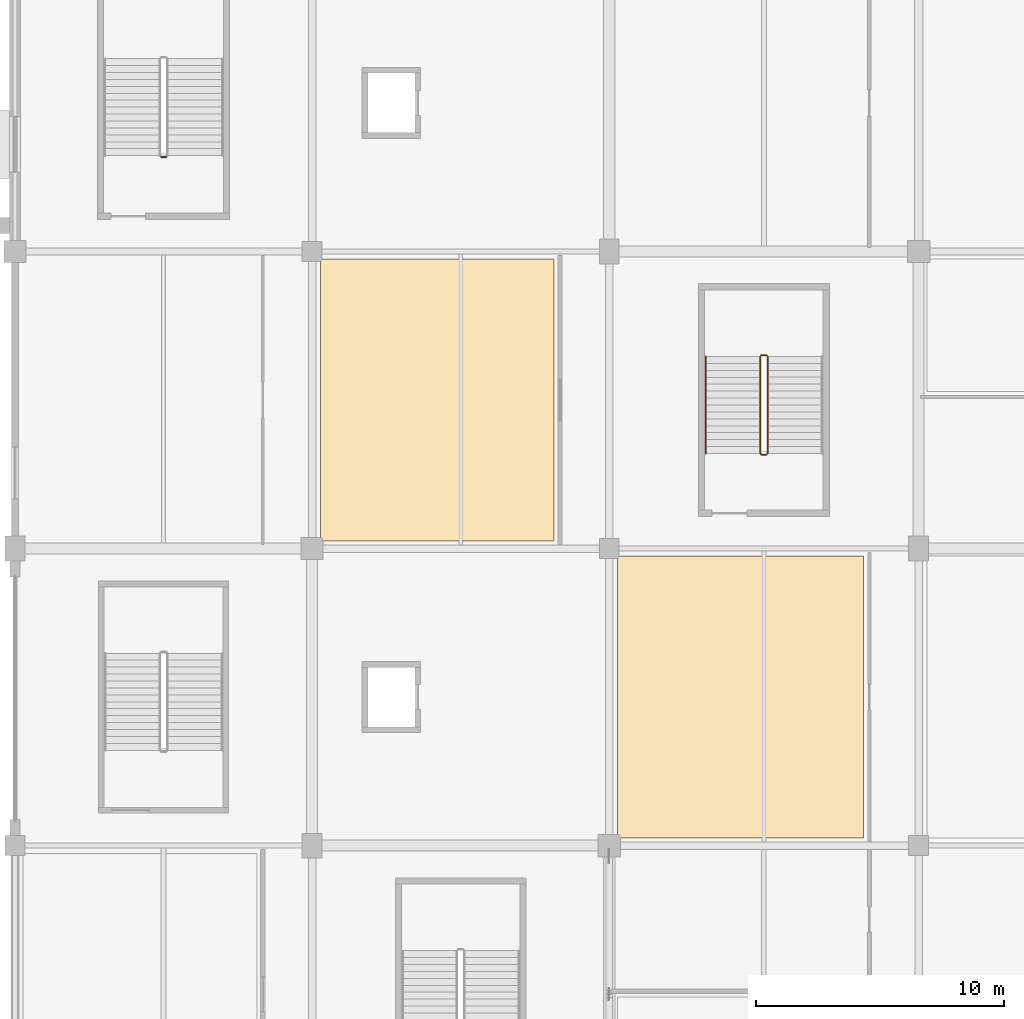
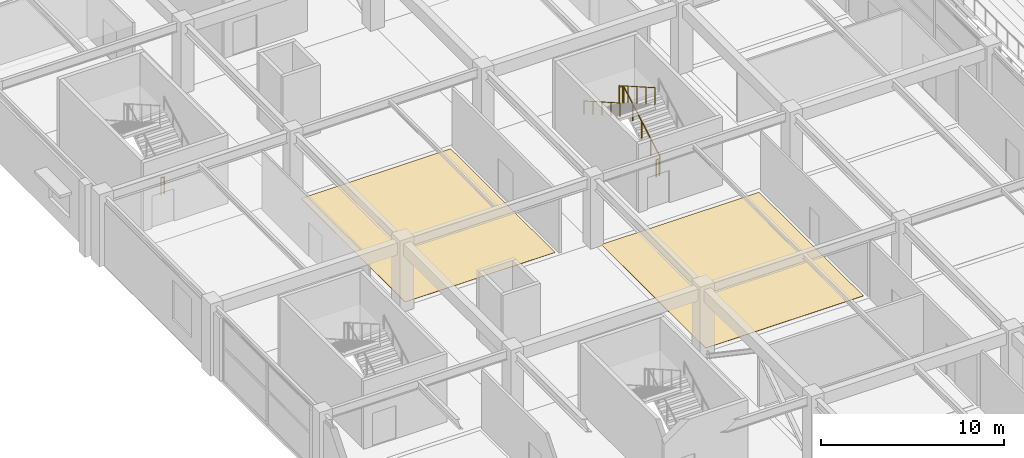
# One storey, part 105 of 134: 6 railings, 2 coverings.
"""IFC4 building model written with IfcOpenShell, lengths in metres."""

from ifc_helpers import new_model, si_unit, direction, frame, origin, origin_2d, place, context, subcontext, project, spatial, polyline, circle, outline, extrude, material, layer, layer_set, type_object, element, save


model = new_model("IFC4")

# Units and contexts
model_context = context("Model", 3, precision=1e-05, world=origin(), true_north=direction((0.0, 1.0)))
body_context = subcontext(model_context, "Body", "Model", "MODEL_VIEW")
ifc_project = project(units=[si_unit("LENGTHUNIT", "METRE"), si_unit("AREAUNIT", "SQUARE_METRE"), si_unit("VOLUMEUNIT", "CUBIC_METRE"), si_unit("PLANEANGLEUNIT", "RADIAN"), si_unit("MASSUNIT", "GRAM", prefix="KILO")], contexts=[model_context])

# Site, building, storey
site_placement = place(None, origin())
site = spatial("IfcSite", under=ifc_project, at=site_placement, CompositionType="ELEMENT")
building_placement = place(site_placement, origin())
building = spatial("IfcBuilding", under=site, at=building_placement, Name="Kazenohara Klinker Stadium", CompositionType="ELEMENT")
storey_placement = place(building_placement, frame((0.0, 0.0, 5.39990234375)))
storey = spatial("IfcBuildingStorey", under=building, at=storey_placement, Name="L01", CompositionType="ELEMENT", Elevation=5.39990234375)

# Coverings
ifc_material_1 = material(Name="Slip-resistant honed basalt terrazzo flooring", Category="masonry")
ifc_layer_1 = layer(ifc_material_1, 0.02001953125)
ifc_layer_set_1 = layer_set([ifc_layer_1], Name="Slip-resistant honed basalt terrazzo flooring")
covering_type_1 = type_object("IfcCoveringType", Name="COV-FLR-01", PredefinedType="FLOORING", material=ifc_layer_set_1)
covering_1_placement = place(storey_placement, origin())
element("IfcCovering", 1, at=covering_1_placement, inside=storey, type_object=covering_type_1, Name="Interior floor finish FL01 Lower Concourse Spectator Dining Pavilion L01-0205A", PredefinedType="FLOORING", context=body_context, shape_type="SweptSolid", body=[
    extrude(outline(polyline([(24.330078125, 60.31005859375), (34.27001953125, 60.31005859375), (34.27001953125, 71.68994140625), (24.330078125, 71.68994140625), (24.330078125, 60.31005859375)])), origin(), (0.0, 0.0, 1.0), 0.02001953125),
])
ifc_material_2 = material(Name="Cushioned EPDM sports rubber flooring", Category="rubber")
ifc_layer_2 = layer(ifc_material_2, 0.014892578125)
ifc_layer_set_2 = layer_set([ifc_layer_2], Name="Cushioned EPDM sports rubber flooring")
covering_type_2 = type_object("IfcCoveringType", Name="COV-FLR-02", PredefinedType="FLOORING", material=ifc_layer_set_2)
covering_2_placement = place(storey_placement, origin())
element("IfcCovering", 2, at=covering_2_placement, inside=storey, type_object=covering_type_2, Name="Interior floor finish FL02 Youth Sports Coaching Classroom L01-0106A", PredefinedType="FLOORING", context=body_context, shape_type="SweptSolid", body=[
    extrude(outline(polyline([(12.330078125, 72.31005859375), (21.77001953125, 72.31005859375), (21.77001953125, 83.68994140625), (12.330078125, 83.68994140625), (12.330078125, 72.31005859375)])), origin(), (0.0, 0.0, 1.0), 0.01513671875),
])

# Railings
ifc_material_3 = material(Name="Brushed stainless steel 304 handrail", Category="steel")
ifc_layer_3 = layer(ifc_material_3, 0.050048828125)
ifc_layer_set_3 = layer_set([ifc_layer_3], Name="Brushed stainless steel 304 handrail")
railing_type_1 = type_object("IfcRailingType", Name="RL-HND-900", PredefinedType="HANDRAIL", material=ifc_layer_set_3)
railing_1_placement = place(storey_placement, frame((27.89990234375, 79.760009765625, 2.56005859375)))
element("IfcRailing", 3, at=railing_1_placement, inside=storey, type_object=railing_type_1, Name="L01 ST17 stair handrail 2", PredefinedType="HANDRAIL", context=body_context, shape_type="SweptSolid", body=[
    extrude(circle(Radius=0.02392578125, at=origin_2d()), frame((0.0, 0.0, 0.8759765625), z_axis=(0.0, -0.868239814368, 0.496144761885), x_axis=(1.0, 0.0, 0.0)), (0.0, 0.0, 1.0), 4.514892578125),
    extrude(circle(Radius=0.02099609375, at=origin_2d()), origin(), (0.0, 0.0, 1.0), 0.851806640625),
    extrude(circle(Radius=0.02099609375, at=origin_2d()), frame((0.0, -0.97998046875, 0.56005859375)), (0.0, 0.0, 1.0), 0.851806640625),
    extrude(circle(Radius=0.02099609375, at=origin_2d()), frame((0.0, -1.9599609375, 1.1201171875)), (0.0, 0.0, 1.0), 0.851806640625),
    extrude(circle(Radius=0.02099609375, at=origin_2d()), frame((0.0, -2.93994140625, 1.679931640625)), (0.0, 0.0, 1.0), 0.851806640625),
    extrude(circle(Radius=0.02099609375, at=origin_2d()), frame((0.0, -3.919921875, 2.239990234375)), (0.0, 0.0, 1.0), 0.851806640625),
])
ifc_material_4 = material(Name="Painted steel stairwell guardrail", Category="steel")
ifc_layer_4 = layer(ifc_material_4, 0.06005859375)
ifc_layer_set_4 = layer_set([ifc_layer_4], Name="Painted steel stairwell guardrail")
railing_type_2 = type_object("IfcRailingType", Name="RL-STG-1120", PredefinedType="GUARDRAIL", material=ifc_layer_set_4)
railing_2_placement = place(storey_placement, frame((6.10009765625, 87.820068359375, 0.0)))
element("IfcRailing", 4, at=railing_2_placement, inside=storey, type_object=railing_type_2, Name="L01 ST03 stair guard 4", PredefinedType="GUARDRAIL", context=body_context, shape_type="SweptSolid", body=[
    extrude(circle(Radius=0.02392578125, at=origin_2d()), frame((0.0, 0.0, 1.1259765625), z_axis=(-1.0, 0.0, 0.0), x_axis=(0.0, -1.0, 0.0)), (0.0, 0.0, 1.0), 0.2001953125),
    extrude(circle(Radius=0.02099609375, at=origin_2d()), origin(), (0.0, 0.0, 1.0), 1.101806640625),
    extrude(circle(Radius=0.02099609375, at=origin_2d()), frame((-0.2001953125, 0.0, 0.0)), (0.0, 0.0, 1.0), 1.101806640625),
])
railing_3_placement = place(storey_placement, frame((30.39990234375, 75.840087890625, 0.16015625)))
element("IfcRailing", 5, at=railing_3_placement, inside=storey, type_object=railing_type_2, Name="L01 ST17 stair guard 1", PredefinedType="GUARDRAIL", context=body_context, shape_type="SweptSolid", body=[
    extrude(circle(Radius=0.02392578125, at=origin_2d()), frame((0.0, 0.0, 1.1259765625), z_axis=(0.0, 0.868239814368, 0.496144761885), x_axis=(-1.0, 0.0, 0.0)), (0.0, 0.0, 1.0), 4.514892578125),
    extrude(circle(Radius=0.02099609375, at=origin_2d()), origin(), (0.0, 0.0, 1.0), 1.101806640625),
    extrude(circle(Radius=0.02099609375, at=origin_2d()), frame((0.0, 0.97998046875, 0.56005859375)), (0.0, 0.0, 1.0), 1.101806640625),
    extrude(circle(Radius=0.02099609375, at=origin_2d()), frame((0.0, 1.9599609375, 1.1201171875)), (0.0, 0.0, 1.0), 1.101806640625),
    extrude(circle(Radius=0.02099609375, at=origin_2d()), frame((0.0, 2.93994140625, 1.679931640625)), (0.0, 0.0, 1.0), 1.101806640625),
    extrude(circle(Radius=0.02099609375, at=origin_2d()), frame((0.0, 3.919921875, 2.239990234375)), (0.0, 0.0, 1.0), 1.101806640625),
])
railing_4_placement = place(storey_placement, frame((30.35009765625, 79.81005859375, 2.400146484375)))
element("IfcRailing", 6, at=railing_4_placement, inside=storey, type_object=railing_type_2, Name="L01 ST17 stair guard 2", PredefinedType="GUARDRAIL", context=body_context, shape_type="SweptSolid", body=[
    extrude(circle(Radius=0.02392578125, at=origin_2d()), frame((0.0, 0.0, 1.1259765625), z_axis=(-1.0, 0.0, 0.0), x_axis=(0.0, -1.0, 0.0)), (0.0, 0.0, 1.0), 0.2001953125),
    extrude(circle(Radius=0.02099609375, at=origin_2d()), origin(), (0.0, 0.0, 1.0), 1.101806640625),
    extrude(circle(Radius=0.02099609375, at=origin_2d()), frame((-0.2001953125, 0.0, 0.0)), (0.0, 0.0, 1.0), 1.101806640625),
])
railing_5_placement = place(storey_placement, frame((30.10009765625, 79.760009765625, 2.56005859375)))
element("IfcRailing", 7, at=railing_5_placement, inside=storey, type_object=railing_type_2, Name="L01 ST17 stair guard 3", PredefinedType="GUARDRAIL", context=body_context, shape_type="SweptSolid", body=[
    extrude(circle(Radius=0.02392578125, at=origin_2d()), frame((0.0, 0.0, 1.1259765625), z_axis=(0.0, -0.868239814368, 0.496144761885), x_axis=(1.0, 0.0, 0.0)), (0.0, 0.0, 1.0), 4.514892578125),
    extrude(circle(Radius=0.02099609375, at=origin_2d()), origin(), (0.0, 0.0, 1.0), 1.101806640625),
    extrude(circle(Radius=0.02099609375, at=origin_2d()), frame((0.0, -0.97998046875, 0.56005859375)), (0.0, 0.0, 1.0), 1.101806640625),
    extrude(circle(Radius=0.02099609375, at=origin_2d()), frame((0.0, -1.9599609375, 1.1201171875)), (0.0, 0.0, 1.0), 1.101806640625),
    extrude(circle(Radius=0.02099609375, at=origin_2d()), frame((0.0, -2.93994140625, 1.679931640625)), (0.0, 0.0, 1.0), 1.101806640625),
    extrude(circle(Radius=0.02099609375, at=origin_2d()), frame((0.0, -3.919921875, 2.239990234375)), (0.0, 0.0, 1.0), 1.101806640625),
])
railing_6_placement = place(storey_placement, frame((30.35009765625, 75.7900390625, 0.0)))
element("IfcRailing", 8, at=railing_6_placement, inside=storey, type_object=railing_type_2, Name="L01 ST17 stair guard 4", PredefinedType="GUARDRAIL", context=body_context, shape_type="SweptSolid", body=[
    extrude(circle(Radius=0.02392578125, at=origin_2d()), frame((0.0, 0.0, 1.1259765625), z_axis=(-1.0, 0.0, 0.0), x_axis=(0.0, -1.0, 0.0)), (0.0, 0.0, 1.0), 0.2001953125),
    extrude(circle(Radius=0.02099609375, at=origin_2d()), origin(), (0.0, 0.0, 1.0), 1.101806640625),
    extrude(circle(Radius=0.02099609375, at=origin_2d()), frame((-0.2001953125, 0.0, 0.0)), (0.0, 0.0, 1.0), 1.101806640625),
])

save(model, "model.ifc")
